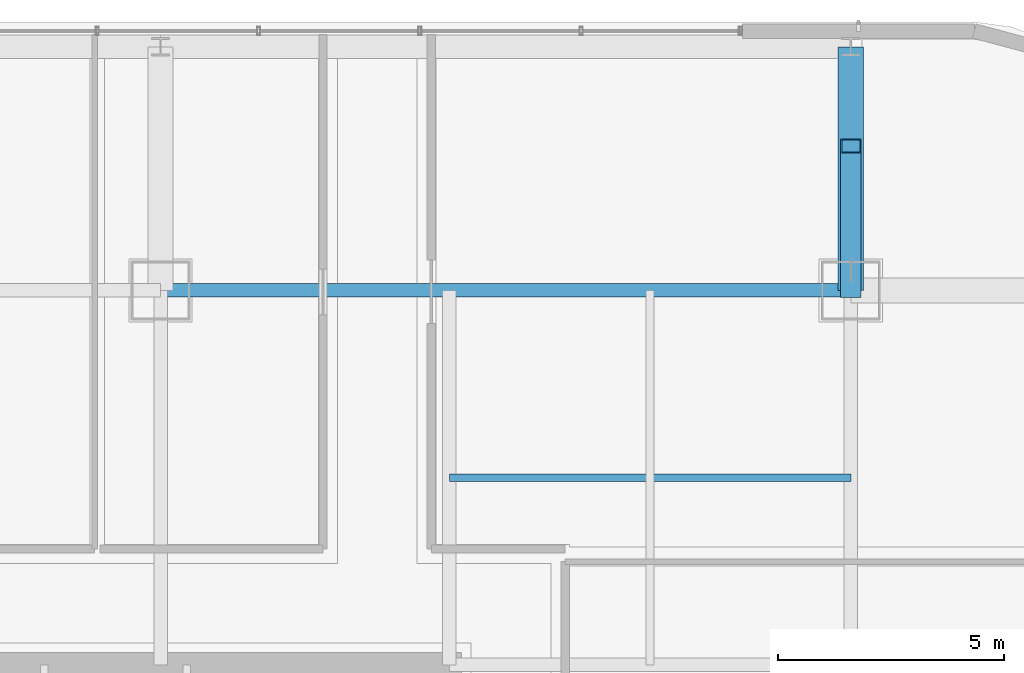
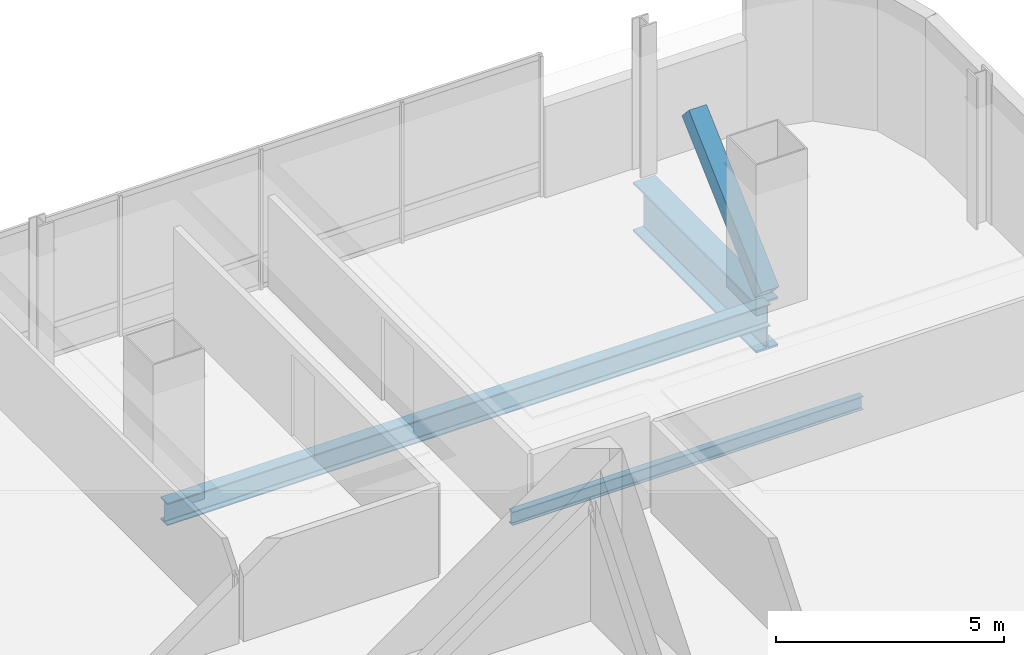
# One storey, part 29 of 51: 3 beams, 1 member.
"""IFC4 building model written with IfcOpenShell, lengths in metres."""

from ifc_helpers import new_model, si_unit, direction, frame, origin, origin_2d, place, context, subcontext, project, spatial, hollow_rectangle, i_section, extrude, material, material_profile, profile_set, type_object, element, save


model = new_model("IFC4")

# Units and contexts
model_context = context("Model", 3, precision=1e-05, world=origin(), true_north=direction((0.0, 1.0)))
body_context = subcontext(model_context, "Body", "Model", "MODEL_VIEW")
ifc_project = project(units=[si_unit("LENGTHUNIT", "METRE"), si_unit("AREAUNIT", "SQUARE_METRE"), si_unit("VOLUMEUNIT", "CUBIC_METRE"), si_unit("PLANEANGLEUNIT", "RADIAN"), si_unit("MASSUNIT", "GRAM", prefix="KILO")], contexts=[model_context])

# Site, building, storey
site_placement = place(None, origin())
site = spatial("IfcSite", under=ifc_project, at=site_placement, CompositionType="ELEMENT")
building_placement = place(site_placement, origin())
building = spatial("IfcBuilding", under=site, at=building_placement, Name="Punatoya Terracotta Tower", CompositionType="ELEMENT")
storey_placement = place(building_placement, frame((0.0, 0.0, 279.75)))
storey = spatial("IfcBuildingStorey", under=building, at=storey_placement, Name="L66", CompositionType="ELEMENT", Elevation=279.75)

# Beams
ifc_material_1 = material(Name="Steel S355", Category="steel")
ifc_material_profile_1 = material_profile(ifc_material_1, i_section(OverallWidth=0.300048828125, OverallDepth=0.60009765625, WebThickness=0.015380859375, FlangeThickness=0.030029296875, FilletRadius=0.01806640625, at=origin_2d()))
ifc_profile_set_1 = profile_set([ifc_material_profile_1], Name="Steel S355")
beam_type_1 = type_object("IfcBeamType", Name="BM-PRI-600", PredefinedType="BEAM", material=ifc_profile_set_1)
beam_1_placement = place(storey_placement, frame((3.800048828125, 17.5, -0.5), z_axis=(1.0, 0.0, 0.0), x_axis=(0.0, 1.0, 0.0)))
element("IfcBeam", 1, at=beam_1_placement, inside=storey, type_object=beam_type_1, Name="BM-L66-RG-N3", PredefinedType="BEAM", context=body_context, shape_type="SweptSolid", body=[
    extrude(i_section(OverallWidth=0.300048828125, OverallDepth=0.60009765625, WebThickness=0.015380859375, FlangeThickness=0.030029296875, FilletRadius=0.01806640625, at=origin_2d()), origin(), (0.0, 0.0, 1.0), 15.300048828125),
])
ifc_material_profile_2 = material_profile(ifc_material_1, i_section(OverallWidth=0.169921875, OverallDepth=0.360107421875, WebThickness=0.008056640625, FlangeThickness=0.0126953125, FilletRadius=0.01806640625, at=origin_2d()))
ifc_profile_set_2 = profile_set([ifc_material_profile_2], Name="Steel S355")
beam_type_2 = type_object("IfcBeamType", Name="BM-SEC-360", PredefinedType="JOIST", material=ifc_profile_set_2)
beam_2_placement = place(storey_placement, frame((10.199951171875, 13.35009765625, -0.3798828125), z_axis=(1.0, 0.0, 0.0), x_axis=(0.0, 1.0, 0.0)))
element("IfcBeam", 2, at=beam_2_placement, inside=storey, type_object=beam_type_2, Name="BM-L66-SJN-2", PredefinedType="JOIST", context=body_context, shape_type="SweptSolid", body=[
    extrude(i_section(OverallWidth=0.169921875, OverallDepth=0.360107421875, WebThickness=0.008056640625, FlangeThickness=0.0126953125, FilletRadius=0.01806640625, at=origin_2d()), origin(), (0.0, 0.0, 1.0), 8.900146484375),
])
ifc_material_2 = material(Name="Steel S460", Category="steel")
ifc_material_profile_3 = material_profile(ifc_material_2, i_section(OverallWidth=0.56005859375, OverallDepth=1.320068359375, WebThickness=0.035888671875, FlangeThickness=0.054931640625, FilletRadius=0.01806640625, at=origin_2d()))
ifc_profile_set_3 = profile_set([ifc_material_profile_3], Name="Steel S460")
beam_type_3 = type_object("IfcBeamType", Name="BM-TG-BLK", PredefinedType="BEAM", material=ifc_profile_set_3)
beam_3_placement = place(storey_placement, frame((19.10009765625, 17.5, -0.860107421875), z_axis=(0.0, 1.0, 0.0), x_axis=(-1.0, 0.0, 0.0)))
element("IfcBeam", 3, at=beam_3_placement, inside=storey, type_object=beam_type_3, Name="BM-L66-CANT-N4", PredefinedType="BEAM", context=body_context, shape_type="SweptSolid", body=[
    extrude(i_section(OverallWidth=0.56005859375, OverallDepth=1.320068359375, WebThickness=0.035888671875, FlangeThickness=0.054931640625, FilletRadius=0.01806640625, at=origin_2d()), origin(), (0.0, 0.0, 1.0), 5.39990234375),
])

# Member
ifc_material_profile_4 = material_profile(ifc_material_2, hollow_rectangle(XDim=0.449951171875, YDim=0.449951171875, WallThickness=0.02490234375, at=origin_2d()))
ifc_profile_set_4 = profile_set([ifc_material_profile_4], Name="Steel S460")
member_type = type_object("IfcMemberType", Name="MEM-STR-450", PredefinedType="STRUT", material=ifc_profile_set_4)
member_placement = place(storey_placement, frame((19.10009765625, 17.5, 0.02001953125), z_axis=(0.0, 0.735244168043, 0.677802340922), x_axis=(-1.0, 0.0, 0.0)))
element("IfcMember", 4, at=member_placement, inside=storey, type_object=member_type, Name="L67 Cantilever Raking Knee-Strut N2", PredefinedType="STRUT", context=body_context, shape_type="SweptSolid", body=[
    extrude(hollow_rectangle(XDim=0.449951171875, YDim=0.449951171875, WallThickness=0.02490234375, at=origin_2d()), origin(), (0.0, 0.0, 1.0), 4.352294921875),
])

save(model, "model.ifc")
